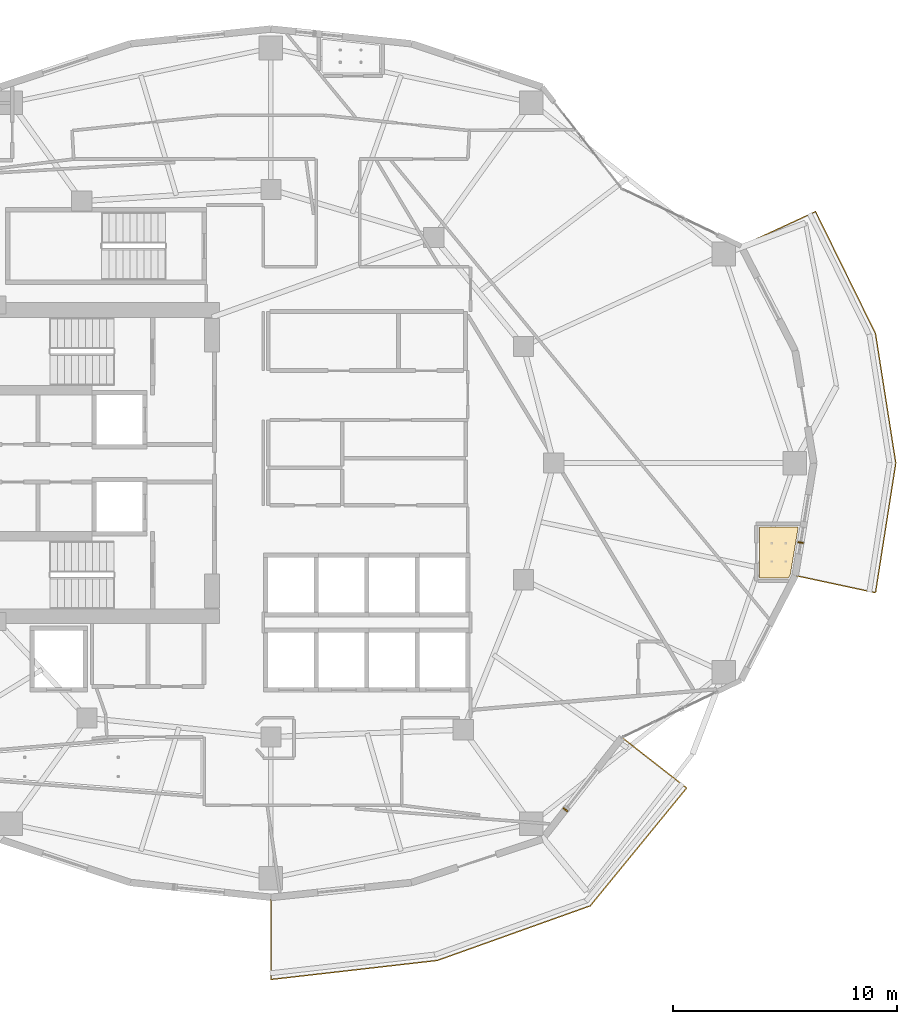
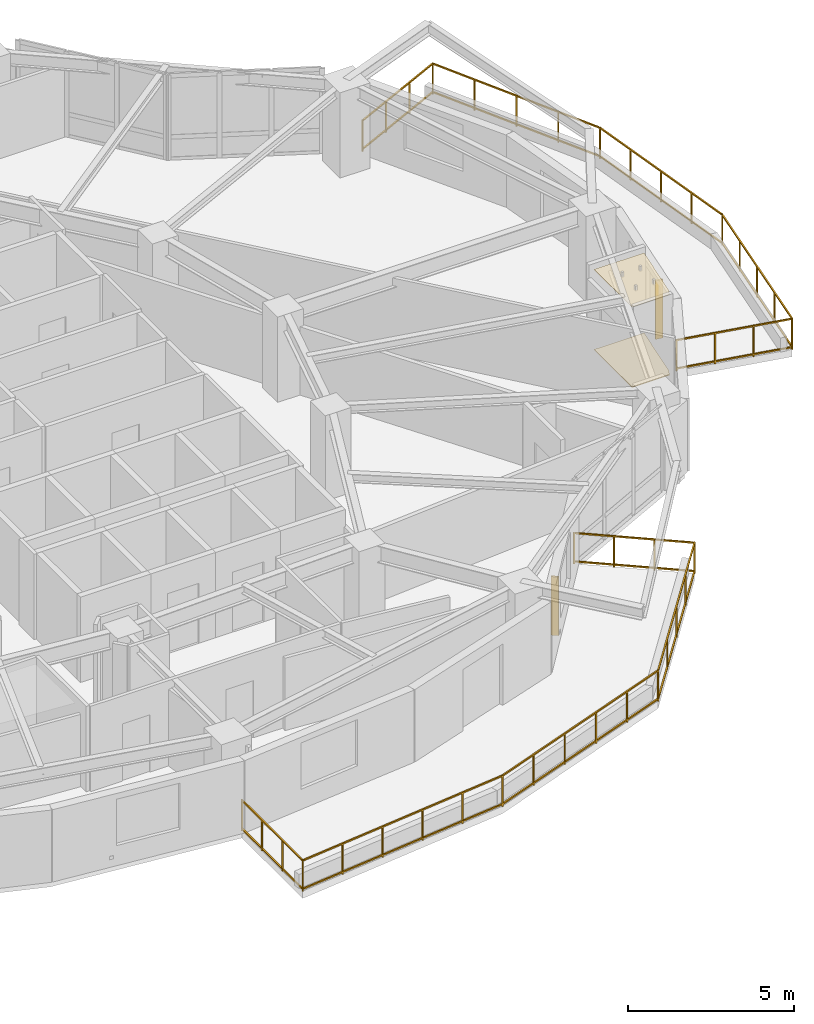
# One storey, part 17 of 18: 2 coverings, 2 railings, 2 shading devices.
"""IFC4 building model written with IfcOpenShell, lengths in metres."""

from ifc_helpers import new_model, si_unit, direction, frame, origin, origin_2d, place, context, subcontext, project, spatial, polyline, rectangle, outline, extrude, material, layer, layer_set, type_object, element, save


model = new_model("IFC4")

# Units and contexts
model_context = context("Model", 3, precision=1e-05, world=origin(), true_north=direction((0.0, 1.0)))
body_context = subcontext(model_context, "Body", "Model", "MODEL_VIEW")
ifc_project = project(units=[si_unit("LENGTHUNIT", "METRE"), si_unit("AREAUNIT", "SQUARE_METRE"), si_unit("VOLUMEUNIT", "CUBIC_METRE"), si_unit("PLANEANGLEUNIT", "RADIAN"), si_unit("MASSUNIT", "GRAM", prefix="KILO")], contexts=[model_context])

# Site, building, storey
site_placement = place(None, origin())
site = spatial("IfcSite", under=ifc_project, at=site_placement, CompositionType="ELEMENT")
building_placement = place(site_placement, origin())
building = spatial("IfcBuilding", under=site, at=building_placement, Name="Kolvaren Gate Tower and Convention Centre", CompositionType="ELEMENT")
storey_placement = place(building_placement, frame((0.0, 0.0, 135.89990234375)))
storey = spatial("IfcBuildingStorey", under=building, at=storey_placement, Name="L34", CompositionType="ELEMENT", Elevation=135.89990234375)

# Coverings
ifc_material_1 = material(Name="Perforated Mineral-Fibre Acoustic Ceiling Tile 18 mm", Category="gypsum")
ifc_layer_1 = layer(ifc_material_1, 0.01806640625)
ifc_layer_set_1 = layer_set([ifc_layer_1], Name="Perforated Mineral-Fibre Acoustic Ceiling Tile 18 mm")
covering_type_1 = type_object("IfcCoveringType", Name="ARCH-COV-CEIL-18", PredefinedType="CEILING", material=ifc_layer_set_1)
covering_1_placement = place(storey_placement, frame((0.0, 0.0, 2.9501953125)))
element("IfcCovering", 1, at=covering_1_placement, inside=storey, type_object=covering_type_1, Name="En-suite Bathroom (HTL-L34-07) Acoustic Suspended Ceiling", PredefinedType="CEILING", context=body_context, shape_type="SweptSolid", body=[
    extrude(outline(polyline([(51.889892578125, 21.889892578125), (51.889892578125, 24.159912109375), (53.6220703125, 24.159912109375), (53.27587890625, 22.06201171875), (53.18798828125, 21.889892578125), (51.889892578125, 21.889892578125)])), origin(), (0.0, 0.0, 1.0), 0.017822265625),
])
ifc_material_2 = material(Name="Honed Sabana Limestone Terrazzo Flooring 30 mm", Category="masonry")
ifc_layer_2 = layer(ifc_material_2, 0.030029296875)
ifc_layer_set_2 = layer_set([ifc_layer_2], Name="Honed Sabana Limestone Terrazzo Flooring 30 mm")
covering_type_2 = type_object("IfcCoveringType", Name="ARCH-COV-FLR-30", PredefinedType="FLOORING", material=ifc_layer_set_2)
covering_2_placement = place(storey_placement, origin())
element("IfcCovering", 2, at=covering_2_placement, inside=storey, type_object=covering_type_2, Name="En-suite Bathroom (HTL-L34-07) Interior Finish Flooring", PredefinedType="FLOORING", context=body_context, shape_type="SweptSolid", body=[
    extrude(outline(polyline([(51.889892578125, 21.889892578125), (51.889892578125, 24.159912109375), (53.6220703125, 24.159912109375), (53.27587890625, 22.06201171875), (53.18798828125, 21.889892578125), (51.889892578125, 21.889892578125)])), origin(), (0.0, 0.0, 1.0), 0.030029296875),
])

# Railings
ifc_material_3 = material(Name="Brushed Stainless Steel Grade 316L", Category="steel")
railing_type = type_object("IfcRailingType", Name="ARCH-RL-GUARD-1150", PredefinedType="GUARDRAIL", material=ifc_material_3)
railing_1_placement = place(storey_placement, frame((30.125, 7.64990234375, 0.0)))
element("IfcRailing", 3, at=railing_1_placement, inside=storey, type_object=railing_type, Name="Tower L34 Terrace Perimeter Guardrail GR-3", PredefinedType="GUARDRAIL", context=body_context, shape_type="SweptSolid", body=[
    extrude(rectangle(XDim=0.048095703125, YDim=0.048095703125, at=origin_2d()), frame((0.0, -0.028076171875, 1.1259765625), z_axis=(0.0, -1.0, 0.0), x_axis=(1.0, 0.0, 0.0)), (0.0, 0.0, 1.0), 3.603759765625),
    extrude(rectangle(XDim=0.048095703125, YDim=0.048095703125, at=origin_2d()), frame((0.0, -0.028076171875, 0.083984375), z_axis=(0.0, -1.0, 0.0), x_axis=(1.0, 0.0, 0.0)), (0.0, 0.0, 1.0), 3.603759765625),
    extrude(rectangle(XDim=0.048095703125, YDim=0.048095703125, at=origin_2d()), frame((0.02783203125, -3.65673828125, 1.1259765625), z_axis=(0.993523927361, 0.113623086387, 0.0), x_axis=(-0.113623086387, 0.993523927361, 0.0)), (0.0, 0.0, 1.0), 7.414794921875),
    extrude(rectangle(XDim=0.048095703125, YDim=0.048095703125, at=origin_2d()), frame((0.02783203125, -3.65673828125, 0.083984375), z_axis=(0.993523927361, 0.113623086387, 0.0), x_axis=(-0.113623086387, 0.993523927361, 0.0)), (0.0, 0.0, 1.0), 7.414794921875),
    extrude(rectangle(XDim=0.048095703125, YDim=0.048095703125, at=origin_2d()), frame((7.448974609375, -2.801513671875, 1.1259765625), z_axis=(0.941628873241, 0.336652736627, 0.0), x_axis=(-0.336652736627, 0.941628873241, 0.0)), (0.0, 0.0, 1.0), 7.17919921875),
    extrude(rectangle(XDim=0.048095703125, YDim=0.048095703125, at=origin_2d()), frame((7.448974609375, -2.801513671875, 0.083984375), z_axis=(0.941628873241, 0.336652736627, 0.0), x_axis=(-0.336652736627, 0.941628873241, 0.0)), (0.0, 0.0, 1.0), 7.17919921875),
    extrude(rectangle(XDim=0.048095703125, YDim=0.048095703125, at=origin_2d()), frame((14.25341796875, -0.353515625, 1.1259765625), z_axis=(0.633002467947, 0.77414977593, 0.0), x_axis=(-0.77414977593, 0.633002467947, 0.0)), (0.0, 0.0, 1.0), 6.724365234375),
    extrude(rectangle(XDim=0.048095703125, YDim=0.048095703125, at=origin_2d()), frame((14.25341796875, -0.353515625, 0.083984375), z_axis=(0.633002467947, 0.77414977593, 0.0), x_axis=(-0.77414977593, 0.633002467947, 0.0)), (0.0, 0.0, 1.0), 6.724365234375),
    extrude(rectangle(XDim=0.048095703125, YDim=0.048095703125, at=origin_2d()), frame((18.50537109375, 4.89111328125, 1.1259765625), z_axis=(-0.787963688807, 0.615721710776, 0.0), x_axis=(-0.615721710776, -0.787963688807, 0.0)), (0.0, 0.0, 1.0), 3.603759765625),
    extrude(rectangle(XDim=0.048095703125, YDim=0.048095703125, at=origin_2d()), frame((18.50537109375, 4.89111328125, 0.083984375), z_axis=(-0.787963688807, 0.615721710776, 0.0), x_axis=(-0.615721710776, -0.787963688807, 0.0)), (0.0, 0.0, 1.0), 3.603759765625),
    extrude(rectangle(XDim=0.0419921875, YDim=0.0419921875, at=origin_2d()), origin(), (0.0, 0.0, 1.0), 1.14990234375),
    extrude(rectangle(XDim=0.0419921875, YDim=0.0419921875, at=origin_2d()), frame((0.0, -3.659912109375, 0.0)), (0.0, 0.0, 1.0), 1.14990234375),
    extrude(rectangle(XDim=0.0419921875, YDim=0.0419921875, at=origin_2d()), frame((0.0, -1.219970703125, 0.0)), (0.0, 0.0, 1.0), 1.099853515625),
    extrude(rectangle(XDim=0.0419921875, YDim=0.0419921875, at=origin_2d()), frame((0.0, -2.43994140625, 0.0)), (0.0, 0.0, 1.0), 1.099853515625),
    extrude(rectangle(XDim=0.0419921875, YDim=0.0419921875, at=origin_2d()), frame((7.422607421875, -2.81103515625, 0.0)), (0.0, 0.0, 1.0), 1.14990234375),
    extrude(rectangle(XDim=0.0419921875, YDim=0.0419921875, at=origin_2d()), frame((1.484619140625, -3.490234375, 0.0)), (0.0, 0.0, 1.0), 1.099853515625),
    extrude(rectangle(XDim=0.0419921875, YDim=0.0419921875, at=origin_2d()), frame((2.968994140625, -3.3203125, 0.0)), (0.0, 0.0, 1.0), 1.099853515625),
    extrude(rectangle(XDim=0.0419921875, YDim=0.0419921875, at=origin_2d()), frame((4.45361328125, -3.150634765625, 0.0)), (0.0, 0.0, 1.0), 1.099853515625),
    extrude(rectangle(XDim=0.0419921875, YDim=0.0419921875, at=origin_2d()), frame((5.93798828125, -2.980712890625, 0.0)), (0.0, 0.0, 1.0), 1.099853515625),
    extrude(rectangle(XDim=0.0419921875, YDim=0.0419921875, at=origin_2d()), frame((14.235595703125, -0.375244140625, 0.0)), (0.0, 0.0, 1.0), 1.14990234375),
    extrude(rectangle(XDim=0.0419921875, YDim=0.0419921875, at=origin_2d()), frame((8.78515625, -2.323974609375, 0.0)), (0.0, 0.0, 1.0), 1.099853515625),
    extrude(rectangle(XDim=0.0419921875, YDim=0.0419921875, at=origin_2d()), frame((10.147705078125, -1.836669921875, 0.0)), (0.0, 0.0, 1.0), 1.099853515625),
    extrude(rectangle(XDim=0.0419921875, YDim=0.0419921875, at=origin_2d()), frame((11.510498046875, -1.349609375, 0.0)), (0.0, 0.0, 1.0), 1.099853515625),
    extrude(rectangle(XDim=0.0419921875, YDim=0.0419921875, at=origin_2d()), frame((12.873046875, -0.8623046875, 0.0)), (0.0, 0.0, 1.0), 1.099853515625),
    extrude(rectangle(XDim=0.0419921875, YDim=0.0419921875, at=origin_2d()), frame((18.527587890625, 4.873779296875, 0.0)), (0.0, 0.0, 1.0), 1.14990234375),
    extrude(rectangle(XDim=0.0419921875, YDim=0.0419921875, at=origin_2d()), frame((15.30859375, 0.93701171875, 0.0)), (0.0, 0.0, 1.0), 1.099853515625),
    extrude(rectangle(XDim=0.0419921875, YDim=0.0419921875, at=origin_2d()), frame((16.381591796875, 2.249267578125, 0.0)), (0.0, 0.0, 1.0), 1.099853515625),
    extrude(rectangle(XDim=0.0419921875, YDim=0.0419921875, at=origin_2d()), frame((17.45458984375, 3.5615234375, 0.0)), (0.0, 0.0, 1.0), 1.099853515625),
    extrude(rectangle(XDim=0.0419921875, YDim=0.0419921875, at=origin_2d()), frame((15.643798828125, 7.127197265625, 0.0)), (0.0, 0.0, 1.0), 1.14990234375),
    extrude(rectangle(XDim=0.0419921875, YDim=0.0419921875, at=origin_2d()), frame((17.56640625, 5.625, 0.0)), (0.0, 0.0, 1.0), 1.099853515625),
    extrude(rectangle(XDim=0.0419921875, YDim=0.0419921875, at=origin_2d()), frame((16.60498046875, 6.3759765625, 0.0)), (0.0, 0.0, 1.0), 1.099853515625),
])
railing_2_placement = place(storey_placement, frame((53.48828125, 21.991943359375, 0.0)))
element("IfcRailing", 4, at=railing_2_placement, inside=storey, type_object=railing_type, Name="Tower L34 Terrace Perimeter Guardrail GR-4", PredefinedType="GUARDRAIL", context=body_context, shape_type="SweptSolid", body=[
    extrude(rectangle(XDim=0.048095703125, YDim=0.048095703125, at=origin_2d()), frame((0.02734375, -0.005859375, 1.1259765625), z_axis=(0.977788745232, -0.209592866525, 0.0), x_axis=(0.209592866525, 0.977788745232, 0.0)), (0.0, 0.0, 1.0), 3.603759765625),
    extrude(rectangle(XDim=0.048095703125, YDim=0.048095703125, at=origin_2d()), frame((0.02734375, -0.005859375, 0.083984375), z_axis=(0.977788745232, -0.209592866525, 0.0), x_axis=(0.209592866525, 0.977788745232, 0.0)), (0.0, 0.0, 1.0), 3.603759765625),
    extrude(rectangle(XDim=0.048095703125, YDim=0.048095703125, at=origin_2d()), frame((3.5830078125, -0.739501953125, 1.1259765625), z_axis=(0.154903030247, 0.987929679289, 0.0), x_axis=(-0.987929679289, 0.154903030247, 0.0)), (0.0, 0.0, 1.0), 5.78955078125),
    extrude(rectangle(XDim=0.048095703125, YDim=0.048095703125, at=origin_2d()), frame((3.5830078125, -0.739501953125, 0.083984375), z_axis=(0.154903030247, 0.987929679289, 0.0), x_axis=(-0.987929679289, 0.154903030247, 0.0)), (0.0, 0.0, 1.0), 5.78955078125),
    extrude(rectangle(XDim=0.048095703125, YDim=0.048095703125, at=origin_2d()), frame((4.479736328125, 5.03564453125, 1.1259765625), z_axis=(-0.154903030247, 0.987929679289, 0.0), x_axis=(-0.987929679289, -0.154903030247, 0.0)), (0.0, 0.0, 1.0), 5.78955078125),
    extrude(rectangle(XDim=0.048095703125, YDim=0.048095703125, at=origin_2d()), frame((4.479736328125, 5.03564453125, 0.083984375), z_axis=(-0.154903030247, 0.987929679289, 0.0), x_axis=(-0.987929679289, -0.154903030247, 0.0)), (0.0, 0.0, 1.0), 5.78955078125),
    extrude(rectangle(XDim=0.048095703125, YDim=0.048095703125, at=origin_2d()), frame((3.566162109375, 10.808349609375, 1.1259765625), z_axis=(-0.441237167293, 0.897390529368, 0.0), x_axis=(-0.897390529368, -0.441237167293, 0.0)), (0.0, 0.0, 1.0), 5.999755859375),
    extrude(rectangle(XDim=0.048095703125, YDim=0.048095703125, at=origin_2d()), frame((3.566162109375, 10.808349609375, 0.083984375), z_axis=(-0.441237167293, 0.897390529368, 0.0), x_axis=(-0.897390529368, -0.441237167293, 0.0)), (0.0, 0.0, 1.0), 5.999755859375),
    extrude(rectangle(XDim=0.048095703125, YDim=0.048095703125, at=origin_2d()), frame((0.881103515625, 16.2060546875, 1.1259765625), z_axis=(-0.907846116663, -0.419303503993, 0.0), x_axis=(0.419303503993, -0.907846116663, 0.0)), (0.0, 0.0, 1.0), 3.60400390625),
    extrude(rectangle(XDim=0.048095703125, YDim=0.048095703125, at=origin_2d()), frame((0.881103515625, 16.2060546875, 0.083984375), z_axis=(-0.907846116663, -0.419303503993, 0.0), x_axis=(0.419303503993, -0.907846116663, 0.0)), (0.0, 0.0, 1.0), 3.60400390625),
    extrude(rectangle(XDim=0.0419921875, YDim=0.0419921875, at=origin_2d()), origin(), (0.0, 0.0, 1.0), 1.14990234375),
    extrude(rectangle(XDim=0.0419921875, YDim=0.0419921875, at=origin_2d()), frame((3.57861328125, -0.76708984375, 0.0)), (0.0, 0.0, 1.0), 1.14990234375),
    extrude(rectangle(XDim=0.0419921875, YDim=0.0419921875, at=origin_2d()), frame((1.19287109375, -0.255615234375, 0.0)), (0.0, 0.0, 1.0), 1.099853515625),
    extrude(rectangle(XDim=0.0419921875, YDim=0.0419921875, at=origin_2d()), frame((2.3857421875, -0.511474609375, 0.0)), (0.0, 0.0, 1.0), 1.099853515625),
    extrude(rectangle(XDim=0.0419921875, YDim=0.0419921875, at=origin_2d()), frame((4.484130859375, 5.008056640625, 0.0)), (0.0, 0.0, 1.0), 1.14990234375),
    extrude(rectangle(XDim=0.0419921875, YDim=0.0419921875, at=origin_2d()), frame((3.804931640625, 0.6767578125, 0.0)), (0.0, 0.0, 1.0), 1.099853515625),
    extrude(rectangle(XDim=0.0419921875, YDim=0.0419921875, at=origin_2d()), frame((4.03125, 2.12060546875, 0.0)), (0.0, 0.0, 1.0), 1.099853515625),
    extrude(rectangle(XDim=0.0419921875, YDim=0.0419921875, at=origin_2d()), frame((4.2578125, 3.564208984375, 0.0)), (0.0, 0.0, 1.0), 1.099853515625),
    extrude(rectangle(XDim=0.0419921875, YDim=0.0419921875, at=origin_2d()), frame((3.57861328125, 10.783203125, 0.0)), (0.0, 0.0, 1.0), 1.14990234375),
    extrude(rectangle(XDim=0.0419921875, YDim=0.0419921875, at=origin_2d()), frame((4.2578125, 6.451904296875, 0.0)), (0.0, 0.0, 1.0), 1.099853515625),
    extrude(rectangle(XDim=0.0419921875, YDim=0.0419921875, at=origin_2d()), frame((4.03125, 7.8955078125, 0.0)), (0.0, 0.0, 1.0), 1.099853515625),
    extrude(rectangle(XDim=0.0419921875, YDim=0.0419921875, at=origin_2d()), frame((3.804931640625, 9.33935546875, 0.0)), (0.0, 0.0, 1.0), 1.099853515625),
    extrude(rectangle(XDim=0.0419921875, YDim=0.0419921875, at=origin_2d()), frame((0.906494140625, 16.2177734375, 0.0)), (0.0, 0.0, 1.0), 1.14990234375),
    extrude(rectangle(XDim=0.0419921875, YDim=0.0419921875, at=origin_2d()), frame((2.91064453125, 12.141845703125, 0.0)), (0.0, 0.0, 1.0), 1.099853515625),
    extrude(rectangle(XDim=0.0419921875, YDim=0.0419921875, at=origin_2d()), frame((2.24267578125, 13.50048828125, 0.0)), (0.0, 0.0, 1.0), 1.099853515625),
    extrude(rectangle(XDim=0.0419921875, YDim=0.0419921875, at=origin_2d()), frame((1.574462890625, 14.859130859375, 0.0)), (0.0, 0.0, 1.0), 1.099853515625),
    extrude(rectangle(XDim=0.0419921875, YDim=0.0419921875, at=origin_2d()), frame((-2.416259765625, 14.68310546875, 0.0)), (0.0, 0.0, 1.0), 1.14990234375),
    extrude(rectangle(XDim=0.0419921875, YDim=0.0419921875, at=origin_2d()), frame((-0.201171875, 15.706298828125, 0.0)), (0.0, 0.0, 1.0), 1.099853515625),
    extrude(rectangle(XDim=0.0419921875, YDim=0.0419921875, at=origin_2d()), frame((-1.30859375, 15.194580078125, 0.0)), (0.0, 0.0, 1.0), 1.099853515625),
])

# Shading devices
ifc_material_4 = material(Name="Kiln-Fired Bogota Terracotta Ceramic Louvre Profile", Category="masonry")
shading_device_type = type_object("IfcShadingDeviceType", Name="ARCH-SHD-FIN-180", PredefinedType="JALOUSIE", material=ifc_material_4)
for number, where, z_axis, x_axis, name in (
    (5, (43.24755859375, 11.556640625, 0.22021484375), (0.0, 0.0, 1.0), (0.616424499081, 0.787414018756, 0.0), "Ceramic Vertical Brise-Soleil Fin FN-L34-20"),
    (6, (53.730224609375, 23.462158203125, 0.22021484375), (0.0, 0.0, 1.0), (0.162389178836, 0.986726788223, 0.0), "Ceramic Vertical Brise-Soleil Fin FN-L34-23"),
):
    element("IfcShadingDevice", number, at=place(storey_placement, frame(where, z_axis=z_axis, x_axis=x_axis)), inside=storey, type_object=shading_device_type, Name=name, PredefinedType="JALOUSIE", context=body_context, shape_type="SweptSolid", body=[
        extrude(rectangle(XDim=0.06005859375, YDim=0.239990234375, at=origin_2d()), origin(), (0.0, 0.0, 1.0), 2.14990234375),
    ])

save(model, "model.ifc")
